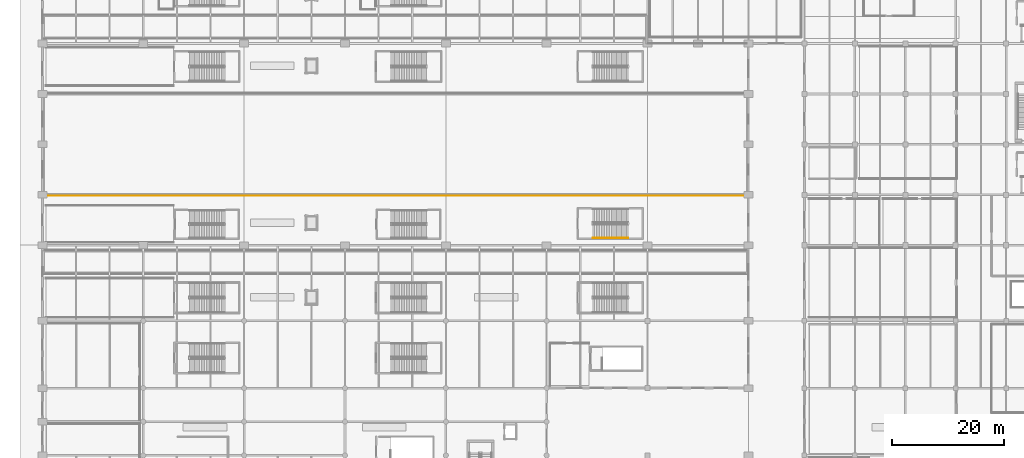
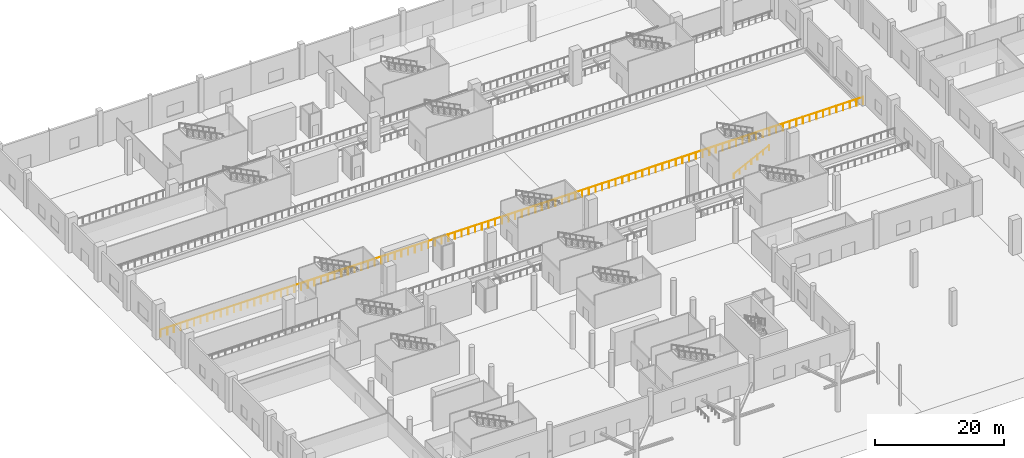
# One storey, part 50 of 65: 2 railings.
"""IFC4 building model written with IfcOpenShell, lengths in metres."""

from ifc_helpers import new_model, si_unit, direction, frame, origin, origin_2d, place, context, subcontext, project, spatial, circle, extrude, material, type_object, element, save


model = new_model("IFC4")

# Units and contexts
model_context = context("Model", 3, precision=1e-05, world=origin(), true_north=direction((0.0, 1.0)))
body_context = subcontext(model_context, "Body", "Model", "MODEL_VIEW")
ifc_project = project(units=[si_unit("LENGTHUNIT", "METRE"), si_unit("AREAUNIT", "SQUARE_METRE"), si_unit("VOLUMEUNIT", "CUBIC_METRE"), si_unit("PLANEANGLEUNIT", "RADIAN"), si_unit("MASSUNIT", "GRAM", prefix="KILO")], contexts=[model_context])

# Site, building, storey
site_placement = place(None, origin())
site = spatial("IfcSite", under=ifc_project, at=site_placement, CompositionType="ELEMENT")
building_placement = place(site_placement, origin())
building = spatial("IfcBuilding", under=site, at=building_placement, Name="Chuanluo Vaults Station", CompositionType="ELEMENT")
storey_placement = place(building_placement, origin())
storey = spatial("IfcBuildingStorey", under=building, at=storey_placement, Name="L00", CompositionType="ELEMENT", Elevation=0.0)

# Railings
ifc_material_1 = material(Name="Brushed stainless steel 304", Category="steel")
railing_type_1 = type_object("IfcRailingType", Name="RLG-HAND-900", PredefinedType="HANDRAIL", material=ifc_material_1)
railing_1_placement = place(storey_placement, frame((98.25, 68.800048828125, 0.14990234375)))
element("IfcRailing", 1, at=railing_1_placement, inside=storey, type_object=railing_type_1, Name="L00 ST-12 stair handrail 1", PredefinedType="HANDRAIL", context=body_context, shape_type="SweptSolid", body=[
    extrude(circle(Radius=0.02392578125, at=origin_2d()), frame((0.0, 0.0, 0.8759765625), z_axis=(0.894420258746, 0.0, 0.44722745974), x_axis=(0.0, 1.0, 0.0)), (0.0, 0.0, 1.0), 7.043701171875),
    extrude(circle(Radius=0.02099609375, at=origin_2d()), origin(), (0.0, 0.0, 1.0), 0.851806640625),
    extrude(circle(Radius=0.02099609375, at=origin_2d()), frame((1.050048828125, 0.0, 0.52490234375)), (0.0, 0.0, 1.0), 0.851806640625),
    extrude(circle(Radius=0.02099609375, at=origin_2d()), frame((2.10009765625, 0.0, 1.050048828125)), (0.0, 0.0, 1.0), 0.851806640625),
    extrude(circle(Radius=0.02099609375, at=origin_2d()), frame((3.14990234375, 0.0, 1.5751953125)), (0.0, 0.0, 1.0), 0.851806640625),
    extrude(circle(Radius=0.02099609375, at=origin_2d()), frame((4.199951171875, 0.0, 2.10009765625)), (0.0, 0.0, 1.0), 0.851806640625),
    extrude(circle(Radius=0.02099609375, at=origin_2d()), frame((5.25, 0.0, 2.625)), (0.0, 0.0, 1.0), 0.851806640625),
    extrude(circle(Radius=0.02099609375, at=origin_2d()), frame((6.300048828125, 0.0, 3.150146484375)), (0.0, 0.0, 1.0), 0.851806640625),
])
ifc_material_2 = material(Name="Tempered laminated balustrade glass", Category="glass")
railing_type_2 = type_object("IfcRailingType", Name="RLG-PLAT-1350", PredefinedType="GUARDRAIL", material=ifc_material_2)
railing_2_placement = place(storey_placement, frame((0.300048828125, 76.35009765625, 0.0)))
element("IfcRailing", 2, at=railing_2_placement, inside=storey, type_object=railing_type_2, Name="Platform edge safety screen balustrade PLAT2-N", PredefinedType="GUARDRAIL", context=body_context, shape_type="SweptSolid", body=[
    extrude(circle(Radius=0.02392578125, at=origin_2d()), frame((0.0, 0.0, 1.326171875), z_axis=(1.0, 0.0, 0.0), x_axis=(0.0, 1.0, 0.0)), (0.0, 0.0, 1.0), 125.39990234375),
    extrude(circle(Radius=0.02099609375, at=origin_2d()), origin(), (0.0, 0.0, 1.0), 1.302001953125),
    extrude(circle(Radius=0.02099609375, at=origin_2d()), frame((1.1943359375, 0.0, 0.0)), (0.0, 0.0, 1.0), 1.302001953125),
    extrude(circle(Radius=0.02099609375, at=origin_2d()), frame((2.388671875, 0.0, 0.0)), (0.0, 0.0, 1.0), 1.302001953125),
    extrude(circle(Radius=0.02099609375, at=origin_2d()), frame((3.582763671875, 0.0, 0.0)), (0.0, 0.0, 1.0), 1.302001953125),
    extrude(circle(Radius=0.02099609375, at=origin_2d()), frame((4.777099609375, 0.0, 0.0)), (0.0, 0.0, 1.0), 1.302001953125),
    extrude(circle(Radius=0.02099609375, at=origin_2d()), frame((5.971435546875, 0.0, 0.0)), (0.0, 0.0, 1.0), 1.302001953125),
    extrude(circle(Radius=0.02099609375, at=origin_2d()), frame((7.165771484375, 0.0, 0.0)), (0.0, 0.0, 1.0), 1.302001953125),
    extrude(circle(Radius=0.02099609375, at=origin_2d()), frame((8.360107421875, 0.0, 0.0)), (0.0, 0.0, 1.0), 1.302001953125),
    extrude(circle(Radius=0.02099609375, at=origin_2d()), frame((9.55419921875, 0.0, 0.0)), (0.0, 0.0, 1.0), 1.302001953125),
    extrude(circle(Radius=0.02099609375, at=origin_2d()), frame((10.74853515625, 0.0, 0.0)), (0.0, 0.0, 1.0), 1.302001953125),
    extrude(circle(Radius=0.02099609375, at=origin_2d()), frame((11.94287109375, 0.0, 0.0)), (0.0, 0.0, 1.0), 1.302001953125),
    extrude(circle(Radius=0.02099609375, at=origin_2d()), frame((13.13720703125, 0.0, 0.0)), (0.0, 0.0, 1.0), 1.302001953125),
    extrude(circle(Radius=0.02099609375, at=origin_2d()), frame((14.331298828125, 0.0, 0.0)), (0.0, 0.0, 1.0), 1.302001953125),
    extrude(circle(Radius=0.02099609375, at=origin_2d()), frame((15.525634765625, 0.0, 0.0)), (0.0, 0.0, 1.0), 1.302001953125),
    extrude(circle(Radius=0.02099609375, at=origin_2d()), frame((16.719970703125, 0.0, 0.0)), (0.0, 0.0, 1.0), 1.302001953125),
    extrude(circle(Radius=0.02099609375, at=origin_2d()), frame((17.914306640625, 0.0, 0.0)), (0.0, 0.0, 1.0), 1.302001953125),
    extrude(circle(Radius=0.02099609375, at=origin_2d()), frame((19.108642578125, 0.0, 0.0)), (0.0, 0.0, 1.0), 1.302001953125),
    extrude(circle(Radius=0.02099609375, at=origin_2d()), frame((20.302734375, 0.0, 0.0)), (0.0, 0.0, 1.0), 1.302001953125),
    extrude(circle(Radius=0.02099609375, at=origin_2d()), frame((21.4970703125, 0.0, 0.0)), (0.0, 0.0, 1.0), 1.302001953125),
    extrude(circle(Radius=0.02099609375, at=origin_2d()), frame((22.69140625, 0.0, 0.0)), (0.0, 0.0, 1.0), 1.302001953125),
    extrude(circle(Radius=0.02099609375, at=origin_2d()), frame((23.8857421875, 0.0, 0.0)), (0.0, 0.0, 1.0), 1.302001953125),
    extrude(circle(Radius=0.02099609375, at=origin_2d()), frame((25.080078125, 0.0, 0.0)), (0.0, 0.0, 1.0), 1.302001953125),
    extrude(circle(Radius=0.02099609375, at=origin_2d()), frame((26.274169921875, 0.0, 0.0)), (0.0, 0.0, 1.0), 1.302001953125),
    extrude(circle(Radius=0.02099609375, at=origin_2d()), frame((27.468505859375, 0.0, 0.0)), (0.0, 0.0, 1.0), 1.302001953125),
    extrude(circle(Radius=0.02099609375, at=origin_2d()), frame((28.662841796875, 0.0, 0.0)), (0.0, 0.0, 1.0), 1.302001953125),
    extrude(circle(Radius=0.02099609375, at=origin_2d()), frame((29.857177734375, 0.0, 0.0)), (0.0, 0.0, 1.0), 1.302001953125),
    extrude(circle(Radius=0.02099609375, at=origin_2d()), frame((31.051513671875, 0.0, 0.0)), (0.0, 0.0, 1.0), 1.302001953125),
    extrude(circle(Radius=0.02099609375, at=origin_2d()), frame((32.24560546875, 0.0, 0.0)), (0.0, 0.0, 1.0), 1.302001953125),
    extrude(circle(Radius=0.02099609375, at=origin_2d()), frame((33.43994140625, 0.0, 0.0)), (0.0, 0.0, 1.0), 1.302001953125),
    extrude(circle(Radius=0.02099609375, at=origin_2d()), frame((34.63427734375, 0.0, 0.0)), (0.0, 0.0, 1.0), 1.302001953125),
    extrude(circle(Radius=0.02099609375, at=origin_2d()), frame((35.82861328125, 0.0, 0.0)), (0.0, 0.0, 1.0), 1.302001953125),
    extrude(circle(Radius=0.02099609375, at=origin_2d()), frame((37.02294921875, 0.0, 0.0)), (0.0, 0.0, 1.0), 1.302001953125),
    extrude(circle(Radius=0.02099609375, at=origin_2d()), frame((38.217041015625, 0.0, 0.0)), (0.0, 0.0, 1.0), 1.302001953125),
    extrude(circle(Radius=0.02099609375, at=origin_2d()), frame((39.411376953125, 0.0, 0.0)), (0.0, 0.0, 1.0), 1.302001953125),
    extrude(circle(Radius=0.02099609375, at=origin_2d()), frame((40.605712890625, 0.0, 0.0)), (0.0, 0.0, 1.0), 1.302001953125),
    extrude(circle(Radius=0.02099609375, at=origin_2d()), frame((41.800048828125, 0.0, 0.0)), (0.0, 0.0, 1.0), 1.302001953125),
    extrude(circle(Radius=0.02099609375, at=origin_2d()), frame((42.994140625, 0.0, 0.0)), (0.0, 0.0, 1.0), 1.302001953125),
    extrude(circle(Radius=0.02099609375, at=origin_2d()), frame((44.1884765625, 0.0, 0.0)), (0.0, 0.0, 1.0), 1.302001953125),
    extrude(circle(Radius=0.02099609375, at=origin_2d()), frame((45.3828125, 0.0, 0.0)), (0.0, 0.0, 1.0), 1.302001953125),
    extrude(circle(Radius=0.02099609375, at=origin_2d()), frame((46.5771484375, 0.0, 0.0)), (0.0, 0.0, 1.0), 1.302001953125),
    extrude(circle(Radius=0.02099609375, at=origin_2d()), frame((47.771484375, 0.0, 0.0)), (0.0, 0.0, 1.0), 1.302001953125),
    extrude(circle(Radius=0.02099609375, at=origin_2d()), frame((48.965576171875, 0.0, 0.0)), (0.0, 0.0, 1.0), 1.302001953125),
    extrude(circle(Radius=0.02099609375, at=origin_2d()), frame((50.159912109375, 0.0, 0.0)), (0.0, 0.0, 1.0), 1.302001953125),
    extrude(circle(Radius=0.02099609375, at=origin_2d()), frame((51.354248046875, 0.0, 0.0)), (0.0, 0.0, 1.0), 1.302001953125),
    extrude(circle(Radius=0.02099609375, at=origin_2d()), frame((52.548583984375, 0.0, 0.0)), (0.0, 0.0, 1.0), 1.302001953125),
    extrude(circle(Radius=0.02099609375, at=origin_2d()), frame((53.742919921875, 0.0, 0.0)), (0.0, 0.0, 1.0), 1.302001953125),
    extrude(circle(Radius=0.02099609375, at=origin_2d()), frame((54.93701171875, 0.0, 0.0)), (0.0, 0.0, 1.0), 1.302001953125),
    extrude(circle(Radius=0.02099609375, at=origin_2d()), frame((56.13134765625, 0.0, 0.0)), (0.0, 0.0, 1.0), 1.302001953125),
    extrude(circle(Radius=0.02099609375, at=origin_2d()), frame((57.32568359375, 0.0, 0.0)), (0.0, 0.0, 1.0), 1.302001953125),
    extrude(circle(Radius=0.02099609375, at=origin_2d()), frame((58.52001953125, 0.0, 0.0)), (0.0, 0.0, 1.0), 1.302001953125),
    extrude(circle(Radius=0.02099609375, at=origin_2d()), frame((59.71435546875, 0.0, 0.0)), (0.0, 0.0, 1.0), 1.302001953125),
    extrude(circle(Radius=0.02099609375, at=origin_2d()), frame((60.908447265625, 0.0, 0.0)), (0.0, 0.0, 1.0), 1.302001953125),
    extrude(circle(Radius=0.02099609375, at=origin_2d()), frame((62.102783203125, 0.0, 0.0)), (0.0, 0.0, 1.0), 1.302001953125),
    extrude(circle(Radius=0.02099609375, at=origin_2d()), frame((63.297119140625, 0.0, 0.0)), (0.0, 0.0, 1.0), 1.302001953125),
    extrude(circle(Radius=0.02099609375, at=origin_2d()), frame((64.491455078125, 0.0, 0.0)), (0.0, 0.0, 1.0), 1.302001953125),
    extrude(circle(Radius=0.02099609375, at=origin_2d()), frame((65.685546875, 0.0, 0.0)), (0.0, 0.0, 1.0), 1.302001953125),
    extrude(circle(Radius=0.02099609375, at=origin_2d()), frame((66.8798828125, 0.0, 0.0)), (0.0, 0.0, 1.0), 1.302001953125),
    extrude(circle(Radius=0.02099609375, at=origin_2d()), frame((68.07421875, 0.0, 0.0)), (0.0, 0.0, 1.0), 1.302001953125),
    extrude(circle(Radius=0.02099609375, at=origin_2d()), frame((69.2685546875, 0.0, 0.0)), (0.0, 0.0, 1.0), 1.302001953125),
    extrude(circle(Radius=0.02099609375, at=origin_2d()), frame((70.462890625, 0.0, 0.0)), (0.0, 0.0, 1.0), 1.302001953125),
    extrude(circle(Radius=0.02099609375, at=origin_2d()), frame((71.656982421875, 0.0, 0.0)), (0.0, 0.0, 1.0), 1.302001953125),
    extrude(circle(Radius=0.02099609375, at=origin_2d()), frame((72.851318359375, 0.0, 0.0)), (0.0, 0.0, 1.0), 1.302001953125),
    extrude(circle(Radius=0.02099609375, at=origin_2d()), frame((74.045654296875, 0.0, 0.0)), (0.0, 0.0, 1.0), 1.302001953125),
    extrude(circle(Radius=0.02099609375, at=origin_2d()), frame((75.239990234375, 0.0, 0.0)), (0.0, 0.0, 1.0), 1.302001953125),
    extrude(circle(Radius=0.02099609375, at=origin_2d()), frame((76.434326171875, 0.0, 0.0)), (0.0, 0.0, 1.0), 1.302001953125),
    extrude(circle(Radius=0.02099609375, at=origin_2d()), frame((77.62841796875, 0.0, 0.0)), (0.0, 0.0, 1.0), 1.302001953125),
    extrude(circle(Radius=0.02099609375, at=origin_2d()), frame((78.82275390625, 0.0, 0.0)), (0.0, 0.0, 1.0), 1.302001953125),
    extrude(circle(Radius=0.02099609375, at=origin_2d()), frame((80.01708984375, 0.0, 0.0)), (0.0, 0.0, 1.0), 1.302001953125),
    extrude(circle(Radius=0.02099609375, at=origin_2d()), frame((81.21142578125, 0.0, 0.0)), (0.0, 0.0, 1.0), 1.302001953125),
    extrude(circle(Radius=0.02099609375, at=origin_2d()), frame((82.40576171875, 0.0, 0.0)), (0.0, 0.0, 1.0), 1.302001953125),
    extrude(circle(Radius=0.02099609375, at=origin_2d()), frame((83.599853515625, 0.0, 0.0)), (0.0, 0.0, 1.0), 1.302001953125),
    extrude(circle(Radius=0.02099609375, at=origin_2d()), frame((84.794189453125, 0.0, 0.0)), (0.0, 0.0, 1.0), 1.302001953125),
    extrude(circle(Radius=0.02099609375, at=origin_2d()), frame((85.988525390625, 0.0, 0.0)), (0.0, 0.0, 1.0), 1.302001953125),
    extrude(circle(Radius=0.02099609375, at=origin_2d()), frame((87.182861328125, 0.0, 0.0)), (0.0, 0.0, 1.0), 1.302001953125),
    extrude(circle(Radius=0.02099609375, at=origin_2d()), frame((88.376953125, 0.0, 0.0)), (0.0, 0.0, 1.0), 1.302001953125),
    extrude(circle(Radius=0.02099609375, at=origin_2d()), frame((89.5712890625, 0.0, 0.0)), (0.0, 0.0, 1.0), 1.302001953125),
    extrude(circle(Radius=0.02099609375, at=origin_2d()), frame((90.765625, 0.0, 0.0)), (0.0, 0.0, 1.0), 1.302001953125),
    extrude(circle(Radius=0.02099609375, at=origin_2d()), frame((91.9599609375, 0.0, 0.0)), (0.0, 0.0, 1.0), 1.302001953125),
    extrude(circle(Radius=0.02099609375, at=origin_2d()), frame((93.154296875, 0.0, 0.0)), (0.0, 0.0, 1.0), 1.302001953125),
    extrude(circle(Radius=0.02099609375, at=origin_2d()), frame((94.348388671875, 0.0, 0.0)), (0.0, 0.0, 1.0), 1.302001953125),
    extrude(circle(Radius=0.02099609375, at=origin_2d()), frame((95.542724609375, 0.0, 0.0)), (0.0, 0.0, 1.0), 1.302001953125),
    extrude(circle(Radius=0.02099609375, at=origin_2d()), frame((96.737060546875, 0.0, 0.0)), (0.0, 0.0, 1.0), 1.302001953125),
    extrude(circle(Radius=0.02099609375, at=origin_2d()), frame((97.931396484375, 0.0, 0.0)), (0.0, 0.0, 1.0), 1.302001953125),
    extrude(circle(Radius=0.02099609375, at=origin_2d()), frame((99.125732421875, 0.0, 0.0)), (0.0, 0.0, 1.0), 1.302001953125),
    extrude(circle(Radius=0.02099609375, at=origin_2d()), frame((100.31982421875, 0.0, 0.0)), (0.0, 0.0, 1.0), 1.302001953125),
    extrude(circle(Radius=0.02099609375, at=origin_2d()), frame((101.51416015625, 0.0, 0.0)), (0.0, 0.0, 1.0), 1.302001953125),
    extrude(circle(Radius=0.02099609375, at=origin_2d()), frame((102.70849609375, 0.0, 0.0)), (0.0, 0.0, 1.0), 1.302001953125),
    extrude(circle(Radius=0.02099609375, at=origin_2d()), frame((103.90283203125, 0.0, 0.0)), (0.0, 0.0, 1.0), 1.302001953125),
    extrude(circle(Radius=0.02099609375, at=origin_2d()), frame((105.09716796875, 0.0, 0.0)), (0.0, 0.0, 1.0), 1.302001953125),
    extrude(circle(Radius=0.02099609375, at=origin_2d()), frame((106.291259765625, 0.0, 0.0)), (0.0, 0.0, 1.0), 1.302001953125),
    extrude(circle(Radius=0.02099609375, at=origin_2d()), frame((107.485595703125, 0.0, 0.0)), (0.0, 0.0, 1.0), 1.302001953125),
    extrude(circle(Radius=0.02099609375, at=origin_2d()), frame((108.679931640625, 0.0, 0.0)), (0.0, 0.0, 1.0), 1.302001953125),
    extrude(circle(Radius=0.02099609375, at=origin_2d()), frame((109.874267578125, 0.0, 0.0)), (0.0, 0.0, 1.0), 1.302001953125),
    extrude(circle(Radius=0.02099609375, at=origin_2d()), frame((111.068603515625, 0.0, 0.0)), (0.0, 0.0, 1.0), 1.302001953125),
    extrude(circle(Radius=0.02099609375, at=origin_2d()), frame((112.2626953125, 0.0, 0.0)), (0.0, 0.0, 1.0), 1.302001953125),
    extrude(circle(Radius=0.02099609375, at=origin_2d()), frame((113.45703125, 0.0, 0.0)), (0.0, 0.0, 1.0), 1.302001953125),
    extrude(circle(Radius=0.02099609375, at=origin_2d()), frame((114.6513671875, 0.0, 0.0)), (0.0, 0.0, 1.0), 1.302001953125),
    extrude(circle(Radius=0.02099609375, at=origin_2d()), frame((115.845703125, 0.0, 0.0)), (0.0, 0.0, 1.0), 1.302001953125),
    extrude(circle(Radius=0.02099609375, at=origin_2d()), frame((117.039794921875, 0.0, 0.0)), (0.0, 0.0, 1.0), 1.302001953125),
    extrude(circle(Radius=0.02099609375, at=origin_2d()), frame((118.234130859375, 0.0, 0.0)), (0.0, 0.0, 1.0), 1.302001953125),
    extrude(circle(Radius=0.02099609375, at=origin_2d()), frame((119.428466796875, 0.0, 0.0)), (0.0, 0.0, 1.0), 1.302001953125),
    extrude(circle(Radius=0.02099609375, at=origin_2d()), frame((120.622802734375, 0.0, 0.0)), (0.0, 0.0, 1.0), 1.302001953125),
    extrude(circle(Radius=0.02099609375, at=origin_2d()), frame((121.817138671875, 0.0, 0.0)), (0.0, 0.0, 1.0), 1.302001953125),
    extrude(circle(Radius=0.02099609375, at=origin_2d()), frame((123.01123046875, 0.0, 0.0)), (0.0, 0.0, 1.0), 1.302001953125),
    extrude(circle(Radius=0.02099609375, at=origin_2d()), frame((124.20556640625, 0.0, 0.0)), (0.0, 0.0, 1.0), 1.302001953125),
    extrude(circle(Radius=0.02099609375, at=origin_2d()), frame((125.39990234375, 0.0, 0.0)), (0.0, 0.0, 1.0), 1.302001953125),
])

save(model, "model.ifc")
